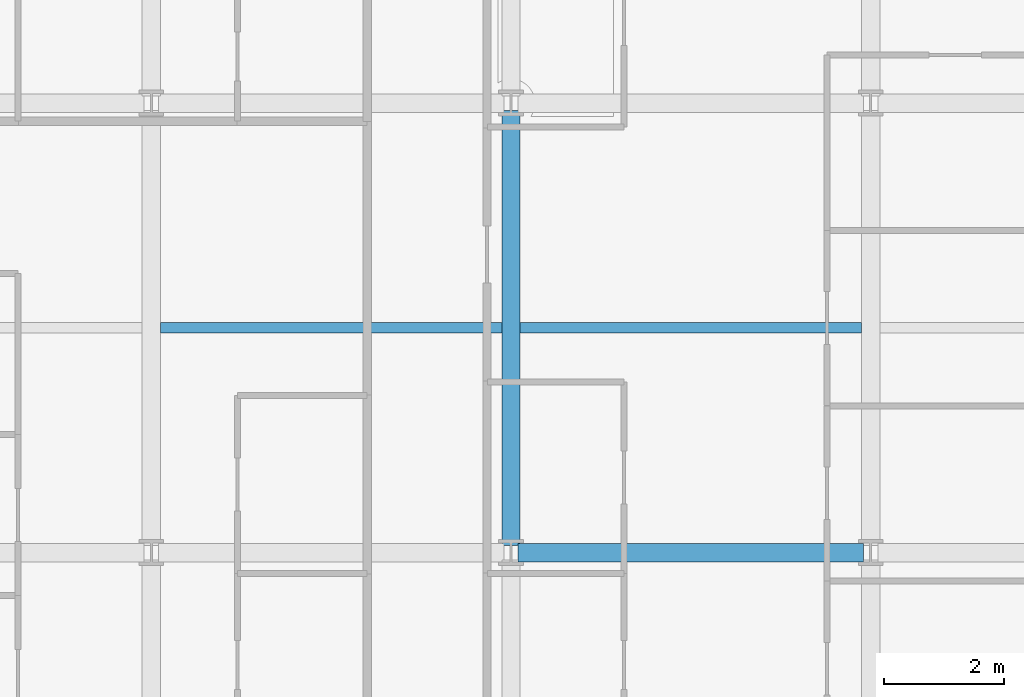
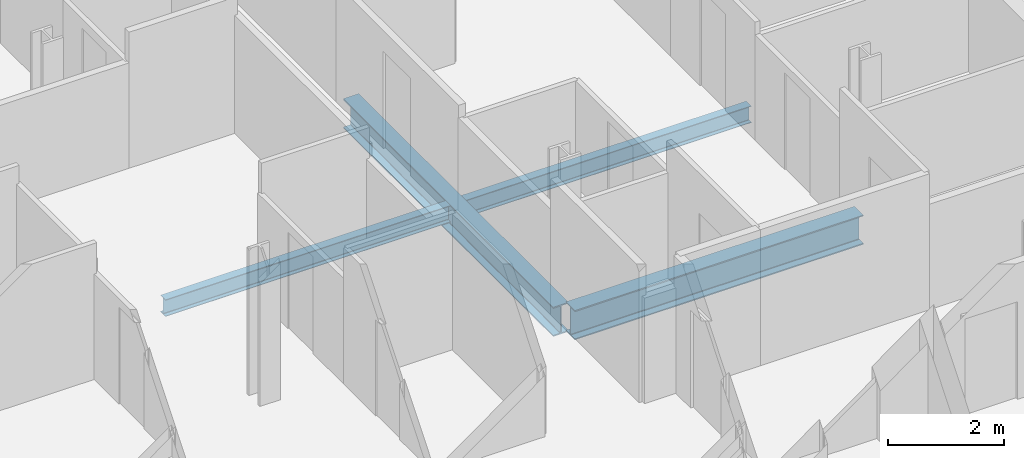
# One storey, part 6 of 41: 4 beams.
"""IFC4 building model written with IfcOpenShell, lengths in metres."""

from ifc_helpers import new_model, si_unit, direction, frame, origin, origin_2d, place, context, subcontext, project, spatial, i_section, extrude, material, material_profile, profile_set, type_object, element, save


model = new_model("IFC4")

# Units and contexts
model_context = context("Model", 3, precision=1e-05, world=origin(), true_north=direction((0.0, 1.0)))
body_context = subcontext(model_context, "Body", "Model", "MODEL_VIEW")
ifc_project = project(units=[si_unit("LENGTHUNIT", "METRE"), si_unit("AREAUNIT", "SQUARE_METRE"), si_unit("VOLUMEUNIT", "CUBIC_METRE"), si_unit("PLANEANGLEUNIT", "RADIAN"), si_unit("MASSUNIT", "GRAM", prefix="KILO")], contexts=[model_context])

# Site, building, storey
site_placement = place(None, origin())
site = spatial("IfcSite", under=ifc_project, at=site_placement, CompositionType="ELEMENT")
building_placement = place(site_placement, origin())
building = spatial("IfcBuilding", under=site, at=building_placement, Name="Brevholm Reach", CompositionType="ELEMENT")
storey_placement = place(building_placement, frame((0.0, 0.0, 68.300048828125)))
storey = spatial("IfcBuildingStorey", under=building, at=storey_placement, Name="L19", CompositionType="ELEMENT", Elevation=68.300048828125)

# Beams
ifc_material_1 = material(Name="Structural Steel S355J2", Category="steel")
ifc_material_profile_1 = material_profile(ifc_material_1, i_section(OverallWidth=0.17138671875, OverallDepth=0.35498046875, WebThickness=0.00732421875, FlangeThickness=0.011474609375, FilletRadius=0.01025390625, at=origin_2d()), Name="UKB 356x171x51")
ifc_profile_set_1 = profile_set([ifc_material_profile_1], Name="Structural Steel S355J2")
beam_type_1 = type_object("IfcBeamType", Name="BM-B356", PredefinedType="BEAM", material=ifc_profile_set_1)
for number, where, z_axis, x_axis, name in (
    (1, (6.153564453125, 19.75, -0.407470703125), (1.0, 0.0, 0.0), (0.0, 1.0, 0.0), "L19 Composite Secondary Floor Beam"),
    (2, (12.153564453125, 19.75, -0.407470703125), (1.0, 0.0, 0.0), (0.0, 1.0, 0.0), "L19 Composite Secondary Floor Beam"),
):
    element("IfcBeam", number, at=place(storey_placement, frame(where, z_axis=z_axis, x_axis=x_axis)), inside=storey, type_object=beam_type_1, Name=name, PredefinedType="BEAM", context=body_context, shape_type="SweptSolid", body=[
        extrude(i_section(OverallWidth=0.17138671875, OverallDepth=0.35498046875, WebThickness=0.00732421875, FlangeThickness=0.011474609375, FilletRadius=0.01025390625, at=origin_2d()), origin(), (0.0, 0.0, 1.0), 5.69287109375),
    ])
ifc_material_2 = material(Name="Structural Steel S355J2", Category="steel")
ifc_material_profile_2 = material_profile(ifc_material_2, i_section(OverallWidth=0.30712890625, OverallDepth=0.6201171875, WebThickness=0.01416015625, FlangeThickness=0.023681640625, FilletRadius=0.0166015625, at=origin_2d()), Name="UKB 610x305x179")
ifc_profile_set_2 = profile_set([ifc_material_profile_2], Name="Structural Steel S355J2")
beam_type_2 = type_object("IfcBeamType", Name="BM-UKB610H", PredefinedType="USERDEFINED", material=ifc_profile_set_2)
beam_1_placement = place(storey_placement, frame((12.1201171875, 16.0, -0.5400390625), z_axis=(1.0, 0.0, 0.0), x_axis=(0.0, 1.0, 0.0)))
element("IfcBeam", 3, at=beam_1_placement, inside=storey, type_object=beam_type_2, Name="L19 G-06 Framing Beam", ObjectType="GIRDER", PredefinedType="USERDEFINED", context=body_context, shape_type="SweptSolid", body=[
    extrude(i_section(OverallWidth=0.30712890625, OverallDepth=0.6201171875, WebThickness=0.01416015625, FlangeThickness=0.023681640625, FilletRadius=0.0166015625, at=origin_2d()), origin(), (0.0, 0.0, 1.0), 5.759765625),
])
beam_2_placement = place(storey_placement, frame((12.0, 16.1201171875, -0.5400390625), z_axis=(0.0, 1.0, 0.0), x_axis=(-1.0, 0.0, 0.0)))
element("IfcBeam", 4, at=beam_2_placement, inside=storey, type_object=beam_type_2, Name="L19 G-06 Framing Beam", ObjectType="GIRDER", PredefinedType="USERDEFINED", context=body_context, shape_type="SweptSolid", body=[
    extrude(i_section(OverallWidth=0.30712890625, OverallDepth=0.6201171875, WebThickness=0.01416015625, FlangeThickness=0.023681640625, FilletRadius=0.0166015625, at=origin_2d()), origin(), (0.0, 0.0, 1.0), 7.259765625),
])

save(model, "model.ifc")
